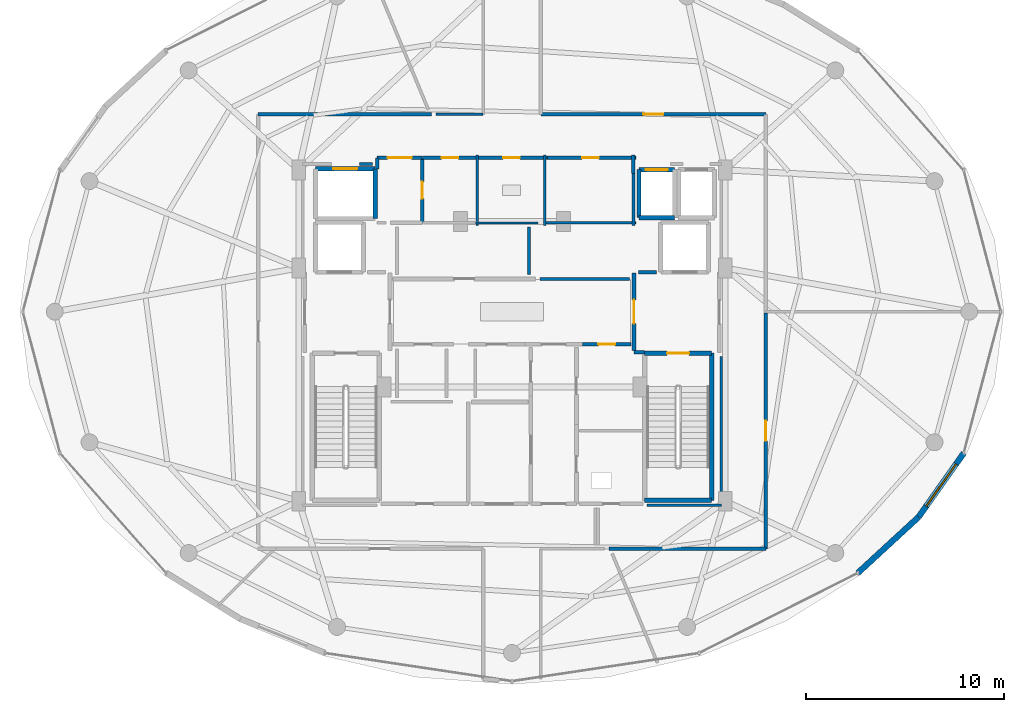
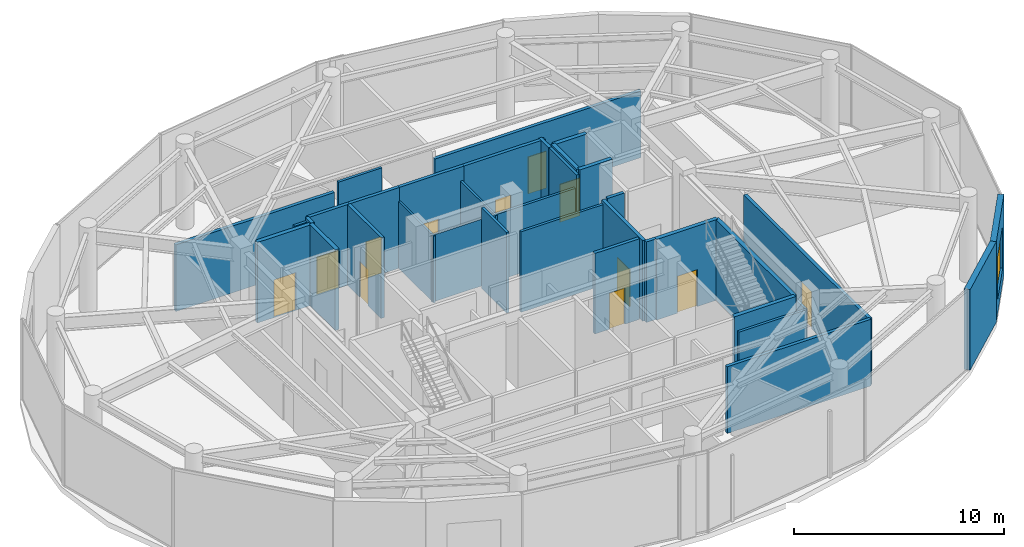
# One storey, part 21 of 24: 36 walls, 12 doors, 1 window, 13 openings.
"""IFC4 building model written with IfcOpenShell, lengths in metres."""

from ifc_helpers import new_model, si_unit, direction, frame, frame_2d, origin, place, context, subcontext, project, spatial, rectangle, extrude, material, layer, layer_set, type_object, element, fill, save


model = new_model("IFC4")

# Units and contexts
model_context = context("Model", 3, precision=1e-05, world=origin(), true_north=direction((0.0, 1.0)))
body_context = subcontext(model_context, "Body", "Model", "MODEL_VIEW")
ifc_project = project(units=[si_unit("LENGTHUNIT", "METRE"), si_unit("AREAUNIT", "SQUARE_METRE"), si_unit("VOLUMEUNIT", "CUBIC_METRE"), si_unit("PLANEANGLEUNIT", "RADIAN"), si_unit("MASSUNIT", "GRAM", prefix="KILO")], contexts=[model_context])

# Site, building, storey
site_placement = place(None, origin())
site = spatial("IfcSite", under=ifc_project, at=site_placement, CompositionType="ELEMENT")
building_placement = place(site_placement, origin())
building = spatial("IfcBuilding", under=site, at=building_placement, Name="Vorneva Point Tower", CompositionType="ELEMENT")
storey_placement = place(building_placement, frame((0.0, 0.0, 285.39990234375)))
storey = spatial("IfcBuildingStorey", under=building, at=storey_placement, Name="L77", CompositionType="ELEMENT", Elevation=285.39990234375)

# Wall
ifc_material_1 = material(Name="Precast concrete B50 (C40/50)", Category="concrete")
ifc_layer_1 = layer(ifc_material_1, 0.300048828125)
ifc_layer_set_1 = layer_set([ifc_layer_1], Name="Precast concrete B50 (C40/50)")
wall_type_1 = type_object("IfcWallType", Name="WL-EXT-300", PredefinedType="STANDARD", material=ifc_layer_set_1)
wall_1_placement = place(storey_placement, frame((55.43017578125, 12.82666015625, 0.0), z_axis=(0.0, 0.0, 1.0), x_axis=(0.735595808164, 0.677420701641, 0.0)))
element("IfcWall", 1, at=wall_1_placement, inside=storey, type_object=wall_type_1, Name="L77 Pale-Metal Facade Spandrel Wall 15.1", PredefinedType="STANDARD", context=body_context, shape_type="SweptSolid", body=[
    extrude(rectangle(XDim=4.167236328125, YDim=0.300048828125, at=frame_2d((2.08349609375, 0.0))), origin(), (0.0, 0.0, 1.0), 4.690185546875),
])

# Wall, opening, window
wall_2_placement = place(storey_placement, frame((58.49560546875, 15.649658203125, 0.0), z_axis=(0.0, 0.0, 1.0), x_axis=(0.577438563223, 0.816434140457, 0.0)))
wall_2 = element("IfcWall", 2, at=wall_2_placement, inside=storey, type_object=wall_type_1, Name="L77 Pale-Metal Facade Spandrel Wall 15.2", PredefinedType="STANDARD", context=body_context, shape_type="SweptSolid", body=[
    extrude(rectangle(XDim=3.945068359375, YDim=0.300048828125, at=frame_2d((1.97265625, 0.0))), origin(), (0.0, 0.0, 1.0), 4.690185546875),
])
opening_1_placement = place(wall_2_placement, frame((0.672607421875, 0.0, 0.85009765625)))
opening_1 = element("IfcOpeningElement", 3, at=opening_1_placement, cuts=wall_2, Name="Opening W-06", PredefinedType="OPENING", context=body_context, shape_type="SweptSolid", body=[
    extrude(rectangle(XDim=2.60009765625, YDim=2.5, at=frame_2d((1.300048828125, 1.25))), frame((0.0, 0.1650390625, 0.0), z_axis=(0.0, -1.0, 0.0), x_axis=(1.0, 0.0, 0.0)), (0.0, 0.0, 1.0), 0.329833984375),
])
ifc_material_2 = material(Name="Double low-e laminated glass IGU", Category="glass")
window_type = type_object("IfcWindowType", Name="WN-OBS-2600", PartitioningType="SINGLE_PANEL", PredefinedType="WINDOW", material=ifc_material_2)
window_placement = place(opening_1_placement, origin())
window = element("IfcWindow", 4, at=window_placement, inside=storey, type_object=window_type, Name="L77 Facade Window 15", OverallHeight=2.5, OverallWidth=2.60009765625, PartitioningType="SINGLE_PANEL", PredefinedType="WINDOW", context=body_context, shape_type="SweptSolid", body=[
    extrude(rectangle(XDim=2.60009765625, YDim=2.5, at=frame_2d((1.300048828125, 1.25))), frame((0.0, 0.030029296875, 0.0), z_axis=(0.0, -1.0, 0.0), x_axis=(1.0, 0.0, 0.0)), (0.0, 0.0, 1.0), 0.06005859375),
])
fill(opening_1, window)

# Walls
ifc_material_3 = material(Name="Fire-rated acoustic gypsum stud partition", Category="gypsum")
ifc_layer_2 = layer(ifc_material_3, 0.110107421875)
ifc_layer_set_2 = layer_set([ifc_layer_2], Name="Fire-rated acoustic gypsum stud partition")
wall_type_2 = type_object("IfcWallType", Name="WL-PART-110", PredefinedType="PARTITIONING", material=ifc_layer_set_2)
for number, where, z_axis, x_axis, name in (
    (5, (36.25, 30.340087890625, 0.0), (0.0, 0.0, 1.0), (0.0, 1.0, 0.0), "L77 Interior Partition 022"),
    (6, (39.64990234375, 30.340087890625, 0.0), (0.0, 0.0, 1.0), (0.0, 1.0, 0.0), "L77 Interior Partition 025"),
):
    element("IfcWall", number, at=place(storey_placement, frame(where, z_axis=z_axis, x_axis=x_axis)), inside=storey, type_object=wall_type_2, Name=name, PredefinedType="PARTITIONING", context=body_context, shape_type="SweptSolid", body=[
        extrude(rectangle(XDim=3.559814453125, YDim=0.110107421875, at=frame_2d((1.77978515625, 0.0))), origin(), (0.0, 0.0, 1.0), 3.882080078125),
    ])
wall_3_placement = place(storey_placement, frame((36.159912109375, 30.47998046875, 0.0), z_axis=(0.0, 0.0, 1.0), x_axis=(1.0, 0.0, 0.0)))
element("IfcWall", 7, at=wall_3_placement, inside=storey, type_object=wall_type_2, Name="L77 Interior Partition 026", PredefinedType="PARTITIONING", context=body_context, shape_type="SweptSolid", body=[
    extrude(rectangle(XDim=3.16015625, YDim=0.110107421875, at=frame_2d((1.580078125, 0.0))), origin(), (0.0, 0.0, 1.0), 3.882080078125),
])
ifc_layer_3 = layer(ifc_material_3, 0.139892578125)
ifc_layer_set_3 = layer_set([ifc_layer_3], Name="Fire-rated acoustic gypsum stud partition")
wall_type_3 = type_object("IfcWallType", Name="WL-PART-140", PredefinedType="PARTITIONING", material=ifc_layer_set_3)
wall_4_placement = place(storey_placement, frame((43.929931640625, 27.64990234375, 0.0), z_axis=(0.0, 0.0, 1.0), x_axis=(-1.0, 0.0, 0.0)))
element("IfcWall", 8, at=wall_4_placement, inside=storey, type_object=wall_type_3, Name="L77 Interior Closure Partition 052", PredefinedType="PARTITIONING", context=body_context, shape_type="SweptSolid", body=[
    extrude(rectangle(XDim=4.52001953125, YDim=0.139892578125, at=frame_2d((2.260009765625, 0.0))), origin(), (0.0, 0.0, 1.0), 4.690185546875),
])
wall_5_placement = place(storey_placement, frame((39.6201171875, 30.47998046875, 0.0), z_axis=(0.0, 0.0, 1.0), x_axis=(1.0, 0.0, 0.0)))
element("IfcWall", 9, at=wall_5_placement, inside=storey, type_object=wall_type_3, Name="L77 Interior Closure Partition 053", PredefinedType="PARTITIONING", context=body_context, shape_type="SweptSolid", body=[
    extrude(rectangle(XDim=4.639892578125, YDim=0.139892578125, at=frame_2d((2.31982421875, 0.0))), origin(), (0.0, 0.0, 1.0), 3.882080078125),
])
wall_6_placement = place(storey_placement, frame((44.1201171875, 30.340087890625, 0.0), z_axis=(0.0, 0.0, 1.0), x_axis=(0.0, 1.0, 0.0)))
element("IfcWall", 10, at=wall_6_placement, inside=storey, type_object=wall_type_3, Name="L77 Interior Closure Partition 054", PredefinedType="PARTITIONING", context=body_context, shape_type="SweptSolid", body=[
    extrude(rectangle(XDim=2.659912109375, YDim=0.139892578125, at=frame_2d((1.330078125, 0.0))), origin(), (0.0, 0.0, 1.0), 4.690185546875),
])
wall_7_placement = place(storey_placement, frame((38.85009765625, 27.8701171875, 0.0), z_axis=(0.0, 0.0, 1.0), x_axis=(0.0, 1.0, 0.0)))
element("IfcWall", 11, at=wall_7_placement, inside=storey, type_object=wall_type_3, Name="L77 Interior Closure Partition 056", PredefinedType="PARTITIONING", context=body_context, shape_type="SweptSolid", body=[
    extrude(rectangle(XDim=2.389892578125, YDim=0.139892578125, at=frame_2d((1.19482421875, 0.0))), origin(), (0.0, 0.0, 1.0), 4.690185546875),
])
wall_8_placement = place(storey_placement, frame((36.550048828125, 35.949951171875, 0.0), z_axis=(0.0, 0.0, 1.0), x_axis=(-1.0, 0.0, 0.0)))
element("IfcWall", 12, at=wall_8_placement, inside=storey, type_object=wall_type_3, Name="L77 Interior Closure Partition 061", PredefinedType="PARTITIONING", context=body_context, shape_type="SweptSolid", body=[
    extrude(rectangle(XDim=2.39111328125, YDim=0.139892578125, at=frame_2d((1.195556640625, 0.0))), origin(), (0.0, 0.0, 1.0), 4.379150390625),
])
wall_9_placement = place(storey_placement, frame((44.804931640625, 16.239990234375, 0.0), z_axis=(0.0, 0.0, 1.0), x_axis=(1.0, 0.0, 0.0)))
element("IfcWall", 13, at=wall_9_placement, inside=storey, type_object=wall_type_3, Name="L77 Interior Closure Partition 065", PredefinedType="PARTITIONING", context=body_context, shape_type="SweptSolid", body=[
    extrude(rectangle(XDim=3.7451171875, YDim=0.139892578125, at=frame_2d((1.87255859375, 0.0))), origin(), (0.0, 0.0, 1.0), 3.882080078125),
])
wall_10_placement = place(storey_placement, frame((48.550048828125, 16.239990234375, 0.0), z_axis=(0.0, 0.0, 1.0), x_axis=(0.0, 1.0, 0.0)))
element("IfcWall", 14, at=wall_10_placement, inside=storey, type_object=wall_type_3, Name="L77 Interior Closure Partition 066", PredefinedType="PARTITIONING", context=body_context, shape_type="SweptSolid", body=[
    extrude(rectangle(XDim=7.513916015625, YDim=0.139892578125, at=frame_2d((3.7568359375, 0.0))), origin(), (0.0, 0.0, 1.0), 3.882080078125),
])
wall_11_placement = place(storey_placement, frame((30.97998046875, 33.449951171875, 0.0), z_axis=(0.0, 0.0, 1.0), x_axis=(-1.0, 0.0, 0.0)))
element("IfcWall", 15, at=wall_11_placement, inside=storey, type_object=wall_type_3, Name="L77 Interior Closure Partition 070", PredefinedType="PARTITIONING", context=body_context, shape_type="SweptSolid", body=[
    extrude(rectangle(XDim=0.674072265625, YDim=0.139892578125, at=frame_2d((0.3369140625, 0.0))), origin(), (0.0, 0.0, 1.0), 4.690185546875),
])

# Wall, opening, door
ifc_material_4 = material(Name="Autoclaved aerated concrete blockwork", Category="masonry")
ifc_layer_4 = layer(ifc_material_4, 0.179931640625)
ifc_layer_set_4 = layer_set([ifc_layer_4], Name="Autoclaved aerated concrete blockwork")
wall_type_4 = type_object("IfcWallType", Name="WL-PART-180", PredefinedType="PARTITIONING", material=ifc_layer_set_4)
wall_12_placement = place(storey_placement, frame((44.14990234375, 27.955078125, 0.0), z_axis=(0.0, 0.0, 1.0), x_axis=(0.0, -1.0, 0.0)))
wall_12 = element("IfcWall", 16, at=wall_12_placement, inside=storey, type_object=wall_type_4, Name="L77 Interior Partition 003", PredefinedType="PARTITIONING", context=body_context, shape_type="SweptSolid", body=[
    extrude(rectangle(XDim=3.91015625, YDim=0.179931640625, at=frame_2d((1.955078125, 0.0))), origin(), (0.0, 0.0, 1.0), 4.690185546875),
])
opening_2_placement = place(wall_12_placement, frame((1.35498046875, 0.0, 0.0)))
opening_2 = element("IfcOpeningElement", 17, at=opening_2_placement, cuts=wall_12, Name="Opening FD-02", PredefinedType="OPENING", context=body_context, shape_type="SweptSolid", body=[
    extrude(rectangle(XDim=1.199951171875, YDim=2.14990234375, at=frame_2d((0.60009765625, 1.074951171875))), frame((0.0, 0.10498046875, 0.0), z_axis=(0.0, -1.0, 0.0), x_axis=(1.0, 0.0, 0.0)), (0.0, 0.0, 1.0), 0.209716796875),
])
ifc_material_5 = material(Name="Fire-rated powder-coated steel", Category="steel")
door_type_1 = type_object("IfcDoorType", Name="DR-FFL-1200", OperationType="NOTDEFINED", PredefinedType="DOOR", material=ifc_material_5)
door_1_placement = place(opening_2_placement, origin())
door_1 = element("IfcDoor", 18, at=door_1_placement, inside=storey, type_object=door_type_1, Name="L77 Door East Firefighting Lobby / Central Lift Lobby", OperationType="SINGLE_SWING_LEFT", OverallHeight=2.14990234375, OverallWidth=1.199951171875, PredefinedType="DOOR", context=body_context, shape_type="SweptSolid", body=[
    extrude(rectangle(XDim=1.199951171875, YDim=2.14990234375, at=frame_2d((0.60009765625, 1.074951171875))), frame((0.0, 0.02490234375, 0.0), z_axis=(0.0, -1.0, 0.0), x_axis=(1.0, 0.0, 0.0)), (0.0, 0.0, 1.0), 0.050048828125),
])
fill(opening_2, door_1)

# Wall
wall_13_placement = place(storey_placement, frame((44.14990234375, 23.949951171875, 0.0), z_axis=(0.0, 0.0, 1.0), x_axis=(1.0, 0.0, 0.0)))
element("IfcWall", 19, at=wall_13_placement, inside=storey, type_object=wall_type_4, Name="L77 Interior Partition 004", PredefinedType="PARTITIONING", context=body_context, shape_type="SweptSolid", body=[
    extrude(rectangle(XDim=0.5400390625, YDim=0.179931640625, at=frame_2d((0.27001953125, 0.0))), origin(), (0.0, 0.0, 1.0), 4.690185546875),
])

# Wall, opening, door
wall_14_placement = place(storey_placement, frame((33.469970703125, 30.47998046875, 0.0), z_axis=(0.0, 0.0, 1.0), x_axis=(0.0, 1.0, 0.0)))
wall_14 = element("IfcWall", 20, at=wall_14_placement, inside=storey, type_object=wall_type_4, Name="L77 Interior Partition 006", PredefinedType="PARTITIONING", context=body_context, shape_type="SweptSolid", body=[
    extrude(rectangle(XDim=3.280029296875, YDim=0.179931640625, at=frame_2d((1.64013671875, 0.0))), origin(), (0.0, 0.0, 1.0), 4.690185546875),
])
opening_3_placement = place(wall_14_placement, frame((1.215087890625, 0.0, 0.0)))
opening_3 = element("IfcOpeningElement", 21, at=opening_3_placement, cuts=wall_14, Name="Opening ID-02", PredefinedType="OPENING", context=body_context, shape_type="SweptSolid", body=[
    extrude(rectangle(XDim=0.85009765625, YDim=2.10009765625, at=frame_2d((0.425048828125, 1.050048828125))), frame((0.0, 0.10498046875, 0.0), z_axis=(0.0, -1.0, 0.0), x_axis=(1.0, 0.0, 0.0)), (0.0, 0.0, 1.0), 0.209716796875),
])
ifc_material_6 = material(Name="Engineered oak fire-rated door leaf", Category="wood")
door_type_2 = type_object("IfcDoorType", Name="DR-BATH-850", OperationType="NOTDEFINED", PredefinedType="DOOR", material=ifc_material_6)
door_2_placement = place(opening_3_placement, origin())
door_2 = element("IfcDoor", 22, at=door_2_placement, inside=storey, type_object=door_type_2, Name="L77 Door Service Lift Lobby / Core Supply Store", OperationType="SINGLE_SWING_LEFT", OverallHeight=2.10009765625, OverallWidth=0.85009765625, PredefinedType="DOOR", context=body_context, shape_type="SweptSolid", body=[
    extrude(rectangle(XDim=0.85009765625, YDim=2.10009765625, at=frame_2d((0.425048828125, 1.050048828125))), frame((0.0, 0.02490234375, 0.0), z_axis=(0.0, -1.0, 0.0), x_axis=(1.0, 0.0, 0.0)), (0.0, 0.0, 1.0), 0.050048828125),
])
fill(opening_3, door_2)

wall_15_placement = place(storey_placement, frame((33.469970703125, 33.760009765625, 0.0), z_axis=(0.0, 0.0, 1.0), x_axis=(-1.0, 0.0, 0.0)))
wall_15 = element("IfcWall", 23, at=wall_15_placement, inside=storey, type_object=wall_type_4, Name="L77 Interior Partition 008", PredefinedType="PARTITIONING", context=body_context, shape_type="SweptSolid", body=[
    extrude(rectangle(XDim=2.27001953125, YDim=0.179931640625, at=frame_2d((1.135009765625, 0.0))), origin(), (0.0, 0.0, 1.0), 4.690185546875),
])
opening_4_placement = place(wall_15_placement, frame((0.534912109375, 0.0, 0.0)))
opening_4 = element("IfcOpeningElement", 24, at=opening_4_placement, cuts=wall_15, Name="Opening FD-02", PredefinedType="OPENING", context=body_context, shape_type="SweptSolid", body=[
    extrude(rectangle(XDim=1.199951171875, YDim=2.14990234375, at=frame_2d((0.60009765625, 1.074951171875))), frame((0.0, 0.10498046875, 0.0), z_axis=(0.0, -1.0, 0.0), x_axis=(1.0, 0.0, 0.0)), (0.0, 0.0, 1.0), 0.209716796875),
])
door_3_placement = place(opening_4_placement, origin())
door_3 = element("IfcDoor", 25, at=door_3_placement, inside=storey, type_object=door_type_1, Name="L77 Door Service Lift Lobby / L77 Circulation Corridor", OperationType="SINGLE_SWING_RIGHT", OverallHeight=2.14990234375, OverallWidth=1.199951171875, PredefinedType="DOOR", context=body_context, shape_type="SweptSolid", body=[
    extrude(rectangle(XDim=1.199951171875, YDim=2.14990234375, at=frame_2d((0.60009765625, 1.074951171875))), frame((0.0, 0.02490234375, 0.0), z_axis=(0.0, -1.0, 0.0), x_axis=(1.0, 0.0, 0.0)), (0.0, 0.0, 1.0), 0.050048828125),
])
fill(opening_4, door_3)

# Wall
wall_16_placement = place(storey_placement, frame((31.199951171875, 33.760009765625, 0.0), z_axis=(0.0, 0.0, 1.0), x_axis=(0.0, -1.0, 0.0)))
element("IfcWall", 26, at=wall_16_placement, inside=storey, type_object=wall_type_4, Name="L77 Interior Partition 009", PredefinedType="PARTITIONING", context=body_context, shape_type="SweptSolid", body=[
    extrude(rectangle(XDim=0.56005859375, YDim=0.179931640625, at=frame_2d((0.280029296875, 0.0))), origin(), (0.0, 0.0, 1.0), 4.690185546875),
])

# Wall, opening, door
wall_17_placement = place(storey_placement, frame((41.554931640625, 24.35009765625, 0.0), z_axis=(0.0, 0.0, 1.0), x_axis=(1.0, 0.0, 0.0)))
wall_17 = element("IfcWall", 27, at=wall_17_placement, inside=storey, type_object=wall_type_4, Name="L77 Interior Partition 011", PredefinedType="PARTITIONING", context=body_context, shape_type="SweptSolid", body=[
    extrude(rectangle(XDim=2.445068359375, YDim=0.179931640625, at=frame_2d((1.22265625, 0.0))), origin(), (0.0, 0.0, 1.0), 4.690185546875),
])
opening_5_placement = place(wall_17_placement, frame((0.797607421875, 0.0, 0.0)))
opening_5 = element("IfcOpeningElement", 28, at=opening_5_placement, cuts=wall_17, Name="Opening ID-02", PredefinedType="OPENING", context=body_context, shape_type="SweptSolid", body=[
    extrude(rectangle(XDim=0.85009765625, YDim=2.10009765625, at=frame_2d((0.425048828125, 1.050048828125))), frame((0.0, 0.10498046875, 0.0), z_axis=(0.0, -1.0, 0.0), x_axis=(1.0, 0.0, 0.0)), (0.0, 0.0, 1.0), 0.209716796875),
])
door_4_placement = place(opening_5_placement, origin())
door_4 = element("IfcDoor", 29, at=door_4_placement, inside=storey, type_object=door_type_2, Name="L77 Door Central Lift Lobby / Valet and Parcel Room", OperationType="SINGLE_SWING_RIGHT", OverallHeight=2.10009765625, OverallWidth=0.85009765625, PredefinedType="DOOR", context=body_context, shape_type="SweptSolid", body=[
    extrude(rectangle(XDim=0.85009765625, YDim=2.10009765625, at=frame_2d((0.425048828125, 1.050048828125))), frame((0.0, 0.02490234375, 0.0), z_axis=(0.0, -1.0, 0.0), x_axis=(1.0, 0.0, 0.0)), (0.0, 0.0, 1.0), 0.050048828125),
])
fill(opening_5, door_4)

wall_18_placement = place(storey_placement, frame((36.25, 33.760009765625, 0.0), z_axis=(0.0, 0.0, 1.0), x_axis=(-1.0, 0.0, 0.0)))
wall_18 = element("IfcWall", 30, at=wall_18_placement, inside=storey, type_object=wall_type_4, Name="L77 Interior Partition 024", PredefinedType="PARTITIONING", context=body_context, shape_type="SweptSolid", body=[
    extrude(rectangle(XDim=2.75, YDim=0.179931640625, at=frame_2d((1.375, 0.0))), origin(), (0.0, 0.0, 1.0), 4.690185546875),
])
opening_6_placement = place(wall_18_placement, frame((0.949951171875, 0.0, 0.0)))
opening_6 = element("IfcOpeningElement", 31, at=opening_6_placement, cuts=wall_18, Name="Opening ID-02", PredefinedType="OPENING", context=body_context, shape_type="SweptSolid", body=[
    extrude(rectangle(XDim=0.85009765625, YDim=2.10009765625, at=frame_2d((0.425048828125, 1.050048828125))), frame((0.0, 0.10498046875, 0.0), z_axis=(0.0, -1.0, 0.0), x_axis=(1.0, 0.0, 0.0)), (0.0, 0.0, 1.0), 0.209716796875),
])
door_5_placement = place(opening_6_placement, origin())
door_5 = element("IfcDoor", 32, at=door_5_placement, inside=storey, type_object=door_type_2, Name="L77 Door Core Supply Store / L77 Circulation Corridor", OperationType="SINGLE_SWING_RIGHT", OverallHeight=2.10009765625, OverallWidth=0.85009765625, PredefinedType="DOOR", context=body_context, shape_type="SweptSolid", body=[
    extrude(rectangle(XDim=0.85009765625, YDim=2.10009765625, at=frame_2d((0.425048828125, 1.050048828125))), frame((0.0, 0.02490234375, 0.0), z_axis=(0.0, -1.0, 0.0), x_axis=(1.0, 0.0, 0.0)), (0.0, 0.0, 1.0), 0.050048828125),
])
fill(opening_6, door_5)

wall_19_placement = place(storey_placement, frame((39.7900390625, 33.760009765625, 0.0), z_axis=(0.0, 0.0, 1.0), x_axis=(-1.0, 0.0, 0.0)))
wall_19 = element("IfcWall", 33, at=wall_19_placement, inside=storey, type_object=wall_type_4, Name="L77 Interior Partition 027", PredefinedType="PARTITIONING", context=body_context, shape_type="SweptSolid", body=[
    extrude(rectangle(XDim=3.630126953125, YDim=0.179931640625, at=frame_2d((1.81494140625, 0.0))), origin(), (0.0, 0.0, 1.0), 4.690185546875),
])
opening_7_placement = place(wall_19_placement, frame((1.389892578125, 0.0, 0.0)))
opening_7 = element("IfcOpeningElement", 34, at=opening_7_placement, cuts=wall_19, Name="Opening ID-02", PredefinedType="OPENING", context=body_context, shape_type="SweptSolid", body=[
    extrude(rectangle(XDim=0.85009765625, YDim=2.10009765625, at=frame_2d((0.425048828125, 1.050048828125))), frame((0.0, 0.10498046875, 0.0), z_axis=(0.0, -1.0, 0.0), x_axis=(1.0, 0.0, 0.0)), (0.0, 0.0, 1.0), 0.209716796875),
])
door_6_placement = place(opening_7_placement, origin())
door_6 = element("IfcDoor", 35, at=door_6_placement, inside=storey, type_object=door_type_2, Name="L77 Door Accessible WC / L77 Circulation Corridor", OperationType="SINGLE_SWING_LEFT", OverallHeight=2.10009765625, OverallWidth=0.85009765625, PredefinedType="DOOR", context=body_context, shape_type="SweptSolid", body=[
    extrude(rectangle(XDim=0.85009765625, YDim=2.10009765625, at=frame_2d((0.425048828125, 1.050048828125))), frame((0.0, 0.02490234375, 0.0), z_axis=(0.0, -1.0, 0.0), x_axis=(1.0, 0.0, 0.0)), (0.0, 0.0, 1.0), 0.050048828125),
])
fill(opening_7, door_6)

wall_20_placement = place(storey_placement, frame((44.260009765625, 33.760009765625, 0.0), z_axis=(0.0, 0.0, 1.0), x_axis=(-1.0, 0.0, 0.0)))
wall_20 = element("IfcWall", 36, at=wall_20_placement, inside=storey, type_object=wall_type_4, Name="L77 Interior Partition 028", PredefinedType="PARTITIONING", context=body_context, shape_type="SweptSolid", body=[
    extrude(rectangle(XDim=4.610107421875, YDim=0.179931640625, at=frame_2d((2.30517578125, 0.0))), origin(), (0.0, 0.0, 1.0), 4.690185546875),
])
opening_8_placement = place(wall_20_placement, frame((1.8798828125, 0.0, 0.0)))
opening_8 = element("IfcOpeningElement", 37, at=opening_8_placement, cuts=wall_20, Name="Opening ID-02", PredefinedType="OPENING", context=body_context, shape_type="SweptSolid", body=[
    extrude(rectangle(XDim=0.85009765625, YDim=2.10009765625, at=frame_2d((0.425048828125, 1.050048828125))), frame((0.0, 0.10498046875, 0.0), z_axis=(0.0, -1.0, 0.0), x_axis=(1.0, 0.0, 0.0)), (0.0, 0.0, 1.0), 0.209716796875),
])
door_7_placement = place(opening_8_placement, origin())
door_7 = element("IfcDoor", 38, at=door_7_placement, inside=storey, type_object=door_type_2, Name="L77 Door Public WC / L77 Circulation Corridor", OperationType="SINGLE_SWING_RIGHT", OverallHeight=2.10009765625, OverallWidth=0.85009765625, PredefinedType="DOOR", context=body_context, shape_type="SweptSolid", body=[
    extrude(rectangle(XDim=0.85009765625, YDim=2.10009765625, at=frame_2d((0.425048828125, 1.050048828125))), frame((0.0, 0.02490234375, 0.0), z_axis=(0.0, -1.0, 0.0), x_axis=(1.0, 0.0, 0.0)), (0.0, 0.0, 1.0), 0.050048828125),
])
fill(opening_8, door_7)

# Wall
wall_21_placement = place(storey_placement, frame((44.1201171875, 32.969970703125, 0.0), z_axis=(0.0, 0.0, 1.0), x_axis=(0.0, 1.0, 0.0)))
element("IfcWall", 39, at=wall_21_placement, inside=storey, type_object=wall_type_4, Name="L77 Interior Partition 029", PredefinedType="PARTITIONING", context=body_context, shape_type="SweptSolid", body=[
    extrude(rectangle(XDim=0.929931640625, YDim=0.179931640625, at=frame_2d((0.46484375, 0.0))), origin(), (0.0, 0.0, 1.0), 4.690185546875),
])

# Wall, opening, door
wall_22_placement = place(storey_placement, frame((50.800048828125, 35.949951171875, 0.0), z_axis=(0.0, 0.0, 1.0), x_axis=(-1.0, 0.0, 0.0)))
wall_22 = element("IfcWall", 40, at=wall_22_placement, inside=storey, type_object=wall_type_4, Name="L77 Interior Partition 037", PredefinedType="PARTITIONING", context=body_context, shape_type="SweptSolid", body=[
    extrude(rectangle(XDim=11.35009765625, YDim=0.179931640625, at=frame_2d((5.675048828125, 0.0))), origin(), (0.0, 0.0, 1.0), 3.882080078125),
])
opening_9_placement = place(wall_22_placement, frame((5.175048828125, 0.0, 0.0)))
opening_9 = element("IfcOpeningElement", 41, at=opening_9_placement, cuts=wall_22, Name="Opening UD-01", PredefinedType="OPENING", context=body_context, shape_type="SweptSolid", body=[
    extrude(rectangle(XDim=1.0, YDim=2.14990234375, at=frame_2d((0.5, 1.074951171875))), frame((0.0, 0.10498046875, 0.0), z_axis=(0.0, -1.0, 0.0), x_axis=(1.0, 0.0, 0.0)), (0.0, 0.0, 1.0), 0.209716796875),
])
door_type_3 = type_object("IfcDoorType", Name="DR-UNIT-1000", OperationType="NOTDEFINED", PredefinedType="DOOR", material=ifc_material_6)
door_8_placement = place(opening_9_placement, origin())
door_8 = element("IfcDoor", 42, at=door_8_placement, inside=storey, type_object=door_type_3, Name="L77 Door L77 Circulation Corridor / Public Observation Deck North-East", OperationType="SINGLE_SWING_LEFT", OverallHeight=2.14990234375, OverallWidth=1.0, PredefinedType="DOOR", context=body_context, shape_type="SweptSolid", body=[
    extrude(rectangle(XDim=1.0, YDim=2.14990234375, at=frame_2d((0.5, 1.074951171875))), frame((0.0, 0.02490234375, 0.0), z_axis=(0.0, -1.0, 0.0), x_axis=(1.0, 0.0, 0.0)), (0.0, 0.0, 1.0), 0.050048828125),
])
fill(opening_9, door_8)

# Walls
wall_23_placement = place(storey_placement, frame((33.93896484375, 35.949951171875, 0.0), z_axis=(0.0, 0.0, 1.0), x_axis=(-1.0, 0.0, 0.0)))
element("IfcWall", 43, at=wall_23_placement, inside=storey, type_object=wall_type_4, Name="L77 Interior Partition 039", PredefinedType="PARTITIONING", context=body_context, shape_type="SweptSolid", body=[
    extrude(rectangle(XDim=8.739013671875, YDim=0.179931640625, at=frame_2d((4.36962890625, 0.0))), origin(), (0.0, 0.0, 1.0), 3.882080078125),
])
wall_24_placement = place(storey_placement, frame((42.889892578125, 14.050048828125, 0.0), z_axis=(0.0, 0.0, 1.0), x_axis=(1.0, 0.0, 0.0)))
element("IfcWall", 44, at=wall_24_placement, inside=storey, type_object=wall_type_4, Name="L77 Interior Partition 045", PredefinedType="PARTITIONING", context=body_context, shape_type="SweptSolid", body=[
    extrude(rectangle(XDim=7.91015625, YDim=0.179931640625, at=frame_2d((3.955078125, 0.0))), origin(), (0.0, 0.0, 1.0), 3.882080078125),
])

# Wall, opening, door
wall_25_placement = place(storey_placement, frame((50.800048828125, 14.050048828125, 0.0), z_axis=(0.0, 0.0, 1.0), x_axis=(0.0, 1.0, 0.0)))
wall_25 = element("IfcWall", 45, at=wall_25_placement, inside=storey, type_object=wall_type_4, Name="L77 Interior Partition 046", PredefinedType="PARTITIONING", context=body_context, shape_type="SweptSolid", body=[
    extrude(rectangle(XDim=11.889892578125, YDim=0.179931640625, at=frame_2d((5.94482421875, 0.0))), origin(), (0.0, 0.0, 1.0), 3.882080078125),
])
opening_10_placement = place(wall_25_placement, frame((5.445068359375, 0.0, 0.0)))
opening_10 = element("IfcOpeningElement", 46, at=opening_10_placement, cuts=wall_25, Name="Opening UD-01", PredefinedType="OPENING", context=body_context, shape_type="SweptSolid", body=[
    extrude(rectangle(XDim=1.0, YDim=2.14990234375, at=frame_2d((0.5, 1.074951171875))), frame((0.0, 0.10498046875, 0.0), z_axis=(0.0, -1.0, 0.0), x_axis=(1.0, 0.0, 0.0)), (0.0, 0.0, 1.0), 0.209716796875),
])
door_9_placement = place(opening_10_placement, origin())
door_9 = element("IfcDoor", 47, at=door_9_placement, inside=storey, type_object=door_type_3, Name="L77 Door L77 Circulation Corridor / Observation Ticketing and Cafe", OperationType="SINGLE_SWING_RIGHT", OverallHeight=2.14990234375, OverallWidth=1.0, PredefinedType="DOOR", context=body_context, shape_type="SweptSolid", body=[
    extrude(rectangle(XDim=1.0, YDim=2.14990234375, at=frame_2d((0.5, 1.074951171875))), frame((0.0, 0.02490234375, 0.0), z_axis=(0.0, -1.0, 0.0), x_axis=(1.0, 0.0, 0.0)), (0.0, 0.0, 1.0), 0.050048828125),
])
fill(opening_10, door_9)

# Wall
wall_26_placement = place(storey_placement, frame((45.280029296875, 28.0, 0.0), z_axis=(0.0, 0.0, 1.0), x_axis=(-1.0, 0.0, 0.0)))
element("IfcWall", 48, at=wall_26_placement, inside=storey, type_object=wall_type_4, Name="L77 Interior Closure Partition 050", PredefinedType="PARTITIONING", context=body_context, shape_type="SweptSolid", body=[
    extrude(rectangle(XDim=0.9150390625, YDim=0.179931640625, at=frame_2d((0.45751953125, 0.0))), origin(), (0.0, 0.0, 1.0), 4.690185546875),
])

# Wall, opening, door
ifc_material_7 = material(Name="Concrete B50 (C40/50)", Category="concrete")
ifc_layer_5 = layer(ifc_material_7, 0.219970703125)
ifc_layer_set_5 = layer_set([ifc_layer_5], Name="Concrete B50 (C40/50)")
wall_type_5 = type_object("IfcWallType", Name="WL-SHFT-220", PredefinedType="SOLIDWALL", material=ifc_layer_set_5)
wall_27_placement = place(storey_placement, frame((44.68994140625, 23.909912109375, 0.0), z_axis=(0.0, 0.0, 1.0), x_axis=(1.0, 0.0, 0.0)))
wall_27 = element("IfcWall", 49, at=wall_27_placement, inside=storey, type_object=wall_type_5, Name="L77 Exit Stair ST2 Shaft Wall near", PredefinedType="SOLIDWALL", context=body_context, shape_type="SweptSolid", body=[
    extrude(rectangle(XDim=3.3701171875, YDim=0.219970703125, at=frame_2d((1.68505859375, 0.0))), origin(), (0.0, 0.0, 1.0), 4.690185546875),
])
opening_11_placement = place(wall_27_placement, frame((1.135009765625, 0.0, 0.0)))
opening_11 = element("IfcOpeningElement", 50, at=opening_11_placement, cuts=wall_27, Name="Opening FD-01", PredefinedType="OPENING", context=body_context, shape_type="SweptSolid", body=[
    extrude(rectangle(XDim=1.10009765625, YDim=2.14990234375, at=frame_2d((0.550048828125, 1.074951171875))), frame((0.0, 0.125, 0.0), z_axis=(0.0, -1.0, 0.0), x_axis=(1.0, 0.0, 0.0)), (0.0, 0.0, 1.0), 0.249755859375),
])
door_type_4 = type_object("IfcDoorType", Name="DR-STAIR-1100", OperationType="NOTDEFINED", PredefinedType="DOOR", material=ifc_material_5)
door_10_placement = place(opening_11_placement, origin())
door_10 = element("IfcDoor", 51, at=door_10_placement, inside=storey, type_object=door_type_4, Name="L77 Exit Stair ST2 Fire Door", OperationType="SINGLE_SWING_RIGHT", OverallHeight=2.14990234375, OverallWidth=1.10009765625, PredefinedType="DOOR", context=body_context, shape_type="SweptSolid", body=[
    extrude(rectangle(XDim=1.10009765625, YDim=2.14990234375, at=frame_2d((0.550048828125, 1.074951171875))), frame((0.0, 0.02490234375, 0.0), z_axis=(0.0, -1.0, 0.0), x_axis=(1.0, 0.0, 0.0)), (0.0, 0.0, 1.0), 0.050048828125),
])
fill(opening_11, door_10)

# Walls
wall_28_placement = place(storey_placement, frame((48.06005859375, 23.909912109375, 0.0), z_axis=(0.0, 0.0, 1.0), x_axis=(0.0, -1.0, 0.0)))
element("IfcWall", 52, at=wall_28_placement, inside=storey, type_object=wall_type_5, Name="L77 Exit Stair ST2 Shaft Wall right", PredefinedType="SOLIDWALL", context=body_context, shape_type="SweptSolid", body=[
    extrude(rectangle(XDim=7.419921875, YDim=0.219970703125, at=frame_2d((3.7099609375, 0.0))), origin(), (0.0, 0.0, 1.0), 4.690185546875),
])
wall_29_placement = place(storey_placement, frame((48.06005859375, 16.489990234375, 0.0), z_axis=(0.0, 0.0, 1.0), x_axis=(-1.0, 0.0, 0.0)))
element("IfcWall", 53, at=wall_29_placement, inside=storey, type_object=wall_type_5, Name="L77 Exit Stair ST2 Shaft Wall far", PredefinedType="SOLIDWALL", context=body_context, shape_type="SweptSolid", body=[
    extrude(rectangle(XDim=3.3701171875, YDim=0.219970703125, at=frame_2d((1.68505859375, 0.0))), origin(), (0.0, 0.0, 1.0), 4.690185546875),
])
wall_30_placement = place(storey_placement, frame((44.39990234375, 30.739990234375, 0.0), z_axis=(0.0, 0.0, 1.0), x_axis=(1.0, 0.0, 0.0)))
element("IfcWall", 54, at=wall_30_placement, inside=storey, type_object=wall_type_5, Name="L77 Lift EX1 Shaft Wall -Y", PredefinedType="SOLIDWALL", context=body_context, shape_type="SweptSolid", body=[
    extrude(rectangle(XDim=1.800048828125, YDim=0.219970703125, at=frame_2d((0.89990234375, 0.0))), origin(), (0.0, 0.0, 1.0), 4.690185546875),
])

# Wall, opening, door
wall_31_placement = place(storey_placement, frame((46.199951171875, 33.159912109375, 0.0), z_axis=(0.0, 0.0, 1.0), x_axis=(-1.0, 0.0, 0.0)))
wall_31 = element("IfcWall", 55, at=wall_31_placement, inside=storey, type_object=wall_type_5, Name="L77 Lift EX1 Shaft Wall +Y", PredefinedType="SOLIDWALL", context=body_context, shape_type="SweptSolid", body=[
    extrude(rectangle(XDim=1.800048828125, YDim=0.219970703125, at=frame_2d((0.89990234375, 0.0))), origin(), (0.0, 0.0, 1.0), 4.690185546875),
])
opening_12_placement = place(wall_31_placement, frame((0.35009765625, 0.0, 0.0)))
opening_12 = element("IfcOpeningElement", 56, at=opening_12_placement, cuts=wall_31, Name="Opening LD-01", PredefinedType="OPENING", context=body_context, shape_type="SweptSolid", body=[
    extrude(rectangle(XDim=1.10009765625, YDim=2.199951171875, at=frame_2d((0.550048828125, 1.10009765625))), frame((0.0, 0.125, 0.0), z_axis=(0.0, -1.0, 0.0), x_axis=(1.0, 0.0, 0.0)), (0.0, 0.0, 1.0), 0.249755859375),
])
ifc_material_8 = material(Name="Brushed stainless steel S304", Category="steel")
door_type_5 = type_object("IfcDoorType", Name="LD-PASS-1100", OperationType="SLIDING_TO_LEFT", PredefinedType="DOOR", material=ifc_material_8)
door_11_placement = place(opening_12_placement, origin())
door_11 = element("IfcDoor", 57, at=door_11_placement, inside=storey, type_object=door_type_5, Name="L77 Lift EX1 Sliding Landing Door", OperationType="SLIDING_TO_LEFT", OverallHeight=2.199951171875, OverallWidth=1.10009765625, PredefinedType="DOOR", context=body_context, shape_type="SweptSolid", body=[
    extrude(rectangle(XDim=1.10009765625, YDim=2.199951171875, at=frame_2d((0.550048828125, 1.10009765625))), frame((0.0, 0.02490234375, 0.0), z_axis=(0.0, -1.0, 0.0), x_axis=(1.0, 0.0, 0.0)), (0.0, 0.0, 1.0), 0.050048828125),
])
fill(opening_12, door_11)

# Walls
wall_32_placement = place(storey_placement, frame((44.39990234375, 33.159912109375, 0.0), z_axis=(0.0, 0.0, 1.0), x_axis=(0.0, -1.0, 0.0)))
element("IfcWall", 58, at=wall_32_placement, inside=storey, type_object=wall_type_5, Name="L77 Lift EX1 Shaft Wall -X", PredefinedType="SOLIDWALL", context=body_context, shape_type="SweptSolid", body=[
    extrude(rectangle(XDim=2.419921875, YDim=0.219970703125, at=frame_2d((1.2099609375, 0.0))), origin(), (0.0, 0.0, 1.0), 4.690185546875),
])
wall_33_placement = place(storey_placement, frame((31.10009765625, 30.699951171875, 0.0), z_axis=(0.0, 0.0, 1.0), x_axis=(0.0, 1.0, 0.0)))
element("IfcWall", 59, at=wall_33_placement, inside=storey, type_object=wall_type_5, Name="L77 Lift SVL1 Shaft Wall +X", PredefinedType="SOLIDWALL", context=body_context, shape_type="SweptSolid", body=[
    extrude(rectangle(XDim=2.5, YDim=0.219970703125, at=frame_2d((1.25, 0.0))), origin(), (0.0, 0.0, 1.0), 4.690185546875),
])

# Wall, opening, door
wall_34_placement = place(storey_placement, frame((31.10009765625, 33.199951171875, 0.0), z_axis=(0.0, 0.0, 1.0), x_axis=(-1.0, 0.0, 0.0)))
wall_34 = element("IfcWall", 60, at=wall_34_placement, inside=storey, type_object=wall_type_5, Name="L77 Lift SVL1 Shaft Wall +Y", PredefinedType="SOLIDWALL", context=body_context, shape_type="SweptSolid", body=[
    extrude(rectangle(XDim=3.0, YDim=0.219970703125, at=frame_2d((1.5, 0.0))), origin(), (0.0, 0.0, 1.0), 4.690185546875),
])
opening_13_placement = place(wall_34_placement, frame((0.89990234375, 0.0, 0.0)))
opening_13 = element("IfcOpeningElement", 61, at=opening_13_placement, cuts=wall_34, Name="Opening LD-02", PredefinedType="OPENING", context=body_context, shape_type="SweptSolid", body=[
    extrude(rectangle(XDim=1.199951171875, YDim=2.199951171875, at=frame_2d((0.60009765625, 1.10009765625))), frame((0.0, 0.125, 0.0), z_axis=(0.0, -1.0, 0.0), x_axis=(1.0, 0.0, 0.0)), (0.0, 0.0, 1.0), 0.249755859375),
])
door_type_6 = type_object("IfcDoorType", Name="LD-FIRE-1200", OperationType="SLIDING_TO_LEFT", PredefinedType="DOOR", material=ifc_material_8)
door_12_placement = place(opening_13_placement, origin())
door_12 = element("IfcDoor", 62, at=door_12_placement, inside=storey, type_object=door_type_6, Name="L77 Lift SVL1 Sliding Landing Door", OperationType="SLIDING_TO_LEFT", OverallHeight=2.199951171875, OverallWidth=1.199951171875, PredefinedType="DOOR", context=body_context, shape_type="SweptSolid", body=[
    extrude(rectangle(XDim=1.199951171875, YDim=2.199951171875, at=frame_2d((0.60009765625, 1.10009765625))), frame((0.0, 0.02490234375, 0.0), z_axis=(0.0, -1.0, 0.0), x_axis=(1.0, 0.0, 0.0)), (0.0, 0.0, 1.0), 0.050048828125),
])
fill(opening_13, door_12)

save(model, "model.ifc")
